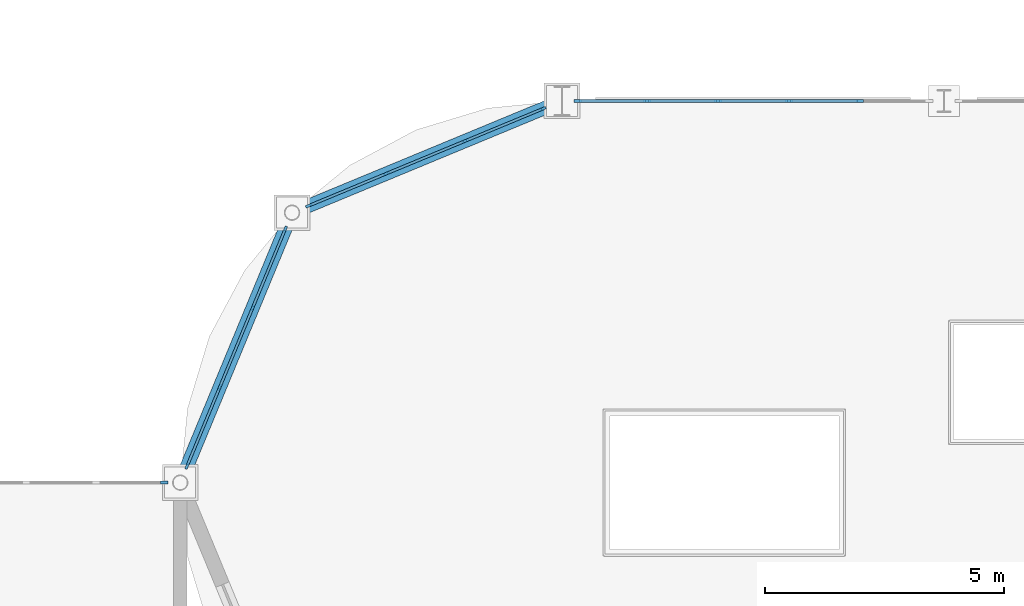
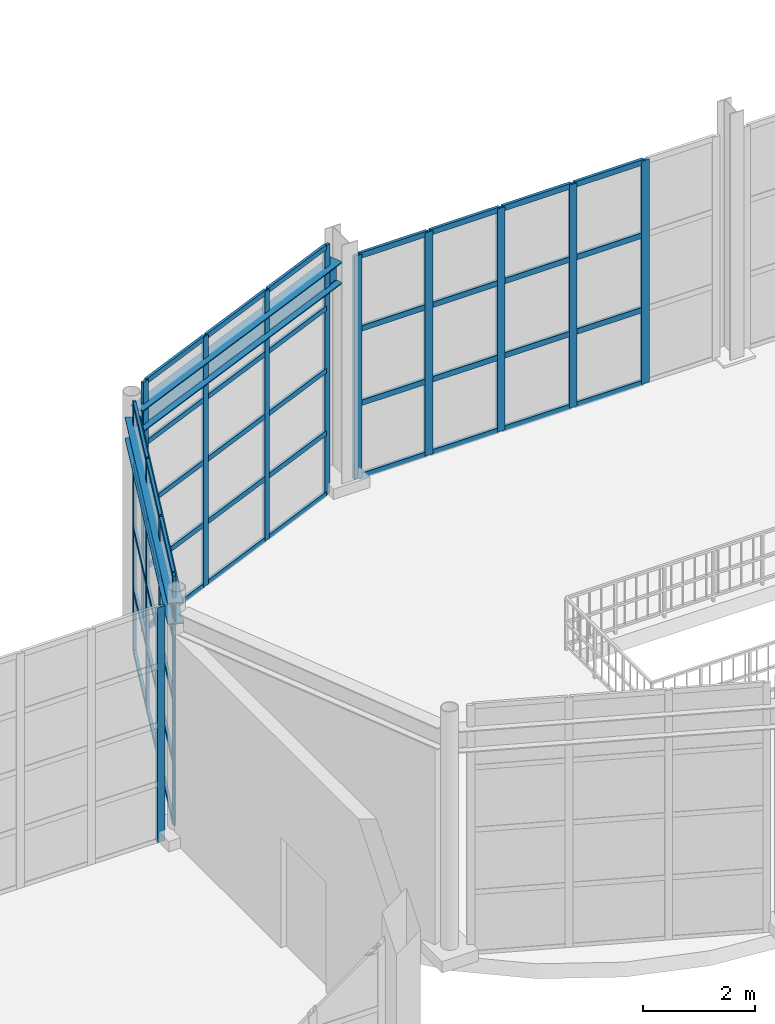
# One storey, part 29 of 82: 60 members, 2 beams, 4 elements without a shape of their own.
"""IFC4 building model written with IfcOpenShell, lengths in metres."""

from ifc_helpers import new_model, si_unit, direction, frame, origin, origin_2d, place, context, subcontext, project, spatial, rectangle, i_section, extrude, material, material_profile, profile_set, type_object, element, aggregate, save


model = new_model("IFC4")

# Units and contexts
model_context = context("Model", 3, precision=1e-05, world=origin(), true_north=direction((0.0, 1.0)))
body_context = subcontext(model_context, "Body", "Model", "MODEL_VIEW")
ifc_project = project(units=[si_unit("LENGTHUNIT", "METRE"), si_unit("AREAUNIT", "SQUARE_METRE"), si_unit("VOLUMEUNIT", "CUBIC_METRE"), si_unit("PLANEANGLEUNIT", "RADIAN"), si_unit("MASSUNIT", "GRAM", prefix="KILO")], contexts=[model_context])

# Site, building, storey
site_placement = place(None, origin())
site = spatial("IfcSite", under=ifc_project, at=site_placement, CompositionType="ELEMENT")
building_placement = place(site_placement, origin())
building = spatial("IfcBuilding", under=site, at=building_placement, Name="Serraluz Foothill Cableway Terminal", CompositionType="ELEMENT")
storey_placement = place(building_placement, frame((0.0, 0.0, 9.60009765625)))
storey = spatial("IfcBuildingStorey", under=building, at=storey_placement, Name="L02", CompositionType="ELEMENT", Elevation=9.60009765625)

# Curtain wall, members
ifc_material_1 = material(Name="Architectural bronze alloy C28000", Category="aluminium")
curtain_wall_type_1 = type_object("IfcCurtainWallType", Name="TYP-CW-440X360", PredefinedType="NOTDEFINED", material=ifc_material_1)
curtain_wall_1_placement = place(storey_placement, origin())
curtain_wall_1 = element("IfcCurtainWall", 1, at=curtain_wall_1_placement, inside=storey, type_object=curtain_wall_type_1, Name="Ribbed Glazed Curtain Wall CW-V1-W-L02-3", PredefinedType="NOTDEFINED")
ifc_material_2 = material(Name="Extruded aluminium 6063-T6", Category="aluminium")
ifc_material_profile_1 = material_profile(ifc_material_2, rectangle(XDim=0.054931640625, YDim=0.139892578125, at=origin_2d()), Name="ALU MULLION 55x140")
ifc_profile_set_1 = profile_set([ifc_material_profile_1], Name="Extruded aluminium 6063-T6")
member_type_1 = type_object("IfcMemberType", Name="TYP-CW-MUL-55X140", PredefinedType="MULLION", material=ifc_profile_set_1)
member_1_placement = place(storey_placement, frame((32.14501953125, 64.35009765625, 0.0), z_axis=(0.0, 0.0, 1.0), x_axis=(-0.923878982655, 0.382684759834, 0.0)))
member_1 = element("IfcMember", 2, at=member_1_placement, type_object=member_type_1, Name="CW-16 mullion 1", PredefinedType="MULLION", context=body_context, shape_type="SweptSolid", body=[
    extrude(rectangle(XDim=0.054931640625, YDim=0.139892578125, at=origin_2d()), origin(), (0.0, 0.0, 1.0), 5.419921875),
])
member_2_placement = place(storey_placement, frame((32.825927734375, 65.993896484375, 0.0), z_axis=(0.0, 0.0, 1.0), x_axis=(-0.923878982655, 0.382684759834, 0.0)))
member_2 = element("IfcMember", 3, at=member_2_placement, type_object=member_type_1, Name="CW-16 mullion 2", PredefinedType="MULLION", context=body_context, shape_type="SweptSolid", body=[
    extrude(rectangle(XDim=0.054931640625, YDim=0.139892578125, at=origin_2d()), origin(), (0.0, 0.0, 1.0), 5.419921875),
])
member_3_placement = place(storey_placement, frame((33.517333984375, 67.6630859375, 0.0), z_axis=(0.0, 0.0, 1.0), x_axis=(-0.923878982655, 0.382684759834, 0.0)))
member_3 = element("IfcMember", 4, at=member_3_placement, type_object=member_type_1, Name="CW-16 mullion 3", PredefinedType="MULLION", context=body_context, shape_type="SweptSolid", body=[
    extrude(rectangle(XDim=0.054931640625, YDim=0.139892578125, at=origin_2d()), origin(), (0.0, 0.0, 1.0), 5.419921875),
])
member_4_placement = place(storey_placement, frame((34.197998046875, 69.306640625, 0.0), z_axis=(0.0, 0.0, 1.0), x_axis=(-0.923878982655, 0.382684759834, 0.0)))
member_4 = element("IfcMember", 5, at=member_4_placement, type_object=member_type_1, Name="CW-16 mullion 4", PredefinedType="MULLION", context=body_context, shape_type="SweptSolid", body=[
    extrude(rectangle(XDim=0.054931640625, YDim=0.139892578125, at=origin_2d()), origin(), (0.0, 0.0, 1.0), 5.419921875),
])

curtain_wall_type_2 = type_object("IfcCurtainWallType", Name="TYP-CW-380X420", PredefinedType="NOTDEFINED", material=ifc_material_1)
curtain_wall_2_placement = place(storey_placement, origin())
curtain_wall_2 = element("IfcCurtainWall", 6, at=curtain_wall_2_placement, inside=storey, type_object=curtain_wall_type_2, Name="Ribbed Glazed Curtain Wall CW-V1-W-L02-4", PredefinedType="NOTDEFINED")
member_5_placement = place(storey_placement, frame((34.693359375, 69.802001953125, 0.0), z_axis=(0.0, 0.0, 1.0), x_axis=(-0.382681674752, 0.923880260537, 0.0)))
member_5 = element("IfcMember", 7, at=member_5_placement, type_object=member_type_1, Name="CW-17 mullion 1", PredefinedType="MULLION", context=body_context, shape_type="SweptSolid", body=[
    extrude(rectangle(XDim=0.054931640625, YDim=0.139892578125, at=origin_2d()), origin(), (0.0, 0.0, 1.0), 5.419921875),
])
member_6_placement = place(storey_placement, frame((36.319580078125, 70.4755859375, 0.0), z_axis=(0.0, 0.0, 1.0), x_axis=(-0.382681674752, 0.923880260537, 0.0)))
member_6 = element("IfcMember", 8, at=member_6_placement, type_object=member_type_1, Name="CW-17 mullion 2", PredefinedType="MULLION", context=body_context, shape_type="SweptSolid", body=[
    extrude(rectangle(XDim=0.054931640625, YDim=0.139892578125, at=origin_2d()), origin(), (0.0, 0.0, 1.0), 5.419921875),
])
member_7_placement = place(storey_placement, frame((37.971435546875, 71.15966796875, 0.0), z_axis=(0.0, 0.0, 1.0), x_axis=(-0.382681674752, 0.923880260537, 0.0)))
member_7 = element("IfcMember", 9, at=member_7_placement, type_object=member_type_1, Name="CW-17 mullion 3", PredefinedType="MULLION", context=body_context, shape_type="SweptSolid", body=[
    extrude(rectangle(XDim=0.054931640625, YDim=0.139892578125, at=origin_2d()), origin(), (0.0, 0.0, 1.0), 5.419921875),
])
member_8_placement = place(storey_placement, frame((39.59765625, 71.83349609375, 0.0), z_axis=(0.0, 0.0, 1.0), x_axis=(-0.382681674752, 0.923880260537, 0.0)))
member_8 = element("IfcMember", 10, at=member_8_placement, type_object=member_type_1, Name="CW-17 mullion 4", PredefinedType="MULLION", context=body_context, shape_type="SweptSolid", body=[
    extrude(rectangle(XDim=0.054931640625, YDim=0.139892578125, at=origin_2d()), origin(), (0.0, 0.0, 1.0), 5.419921875),
])

curtain_wall_type_3 = type_object("IfcCurtainWallType", Name="TYP-CW-540X420", PredefinedType="NOTDEFINED", material=ifc_material_1)
curtain_wall_3_placement = place(storey_placement, origin())
curtain_wall_3 = element("IfcCurtainWall", 11, at=curtain_wall_3_placement, inside=storey, type_object=curtain_wall_type_3, Name="Ribbed Glazed Curtain Wall CW-V1N-L02-40", PredefinedType="NOTDEFINED")
ifc_material_profile_2 = material_profile(ifc_material_1, rectangle(XDim=0.06005859375, YDim=0.159912109375, at=origin_2d()), Name="ALU MULLION 60x160")
ifc_profile_set_2 = profile_set([ifc_material_profile_2], Name="Architectural bronze alloy C28000")
member_type_2 = type_object("IfcMemberType", Name="TYP-CW-MUL-60X160", PredefinedType="MULLION", material=ifc_profile_set_2)
member_9_placement = place(storey_placement, frame((40.33251953125, 72.0, 0.0), z_axis=(0.0, 0.0, 1.0), x_axis=(0.0, 1.0, 0.0)))
member_9 = element("IfcMember", 12, at=member_9_placement, type_object=member_type_2, Name="CW-10 mullion 1", PredefinedType="MULLION", context=body_context, shape_type="SweptSolid", body=[
    extrude(rectangle(XDim=0.06005859375, YDim=0.159912109375, at=origin_2d()), origin(), (0.0, 0.0, 1.0), 4.849853515625),
])
member_10_placement = place(storey_placement, frame((41.78564453125, 72.0, 0.0), z_axis=(0.0, 0.0, 1.0), x_axis=(0.0, 1.0, 0.0)))
member_10 = element("IfcMember", 13, at=member_10_placement, type_object=member_type_2, Name="CW-10 mullion 2", PredefinedType="MULLION", context=body_context, shape_type="SweptSolid", body=[
    extrude(rectangle(XDim=0.06005859375, YDim=0.159912109375, at=origin_2d()), origin(), (0.0, 0.0, 1.0), 4.849853515625),
])
member_11_placement = place(storey_placement, frame((43.268798828125, 72.0, 0.0), z_axis=(0.0, 0.0, 1.0), x_axis=(0.0, 1.0, 0.0)))
member_11 = element("IfcMember", 14, at=member_11_placement, type_object=member_type_2, Name="CW-10 mullion 3", PredefinedType="MULLION", context=body_context, shape_type="SweptSolid", body=[
    extrude(rectangle(XDim=0.06005859375, YDim=0.159912109375, at=origin_2d()), origin(), (0.0, 0.0, 1.0), 4.849853515625),
])
member_12_placement = place(storey_placement, frame((44.752197265625, 72.0, 0.0), z_axis=(0.0, 0.0, 1.0), x_axis=(0.0, 1.0, 0.0)))
member_12 = element("IfcMember", 15, at=member_12_placement, type_object=member_type_2, Name="CW-10 mullion 4", PredefinedType="MULLION", context=body_context, shape_type="SweptSolid", body=[
    extrude(rectangle(XDim=0.06005859375, YDim=0.159912109375, at=origin_2d()), origin(), (0.0, 0.0, 1.0), 4.849853515625),
])
member_13_placement = place(storey_placement, frame((46.2353515625, 72.0, 0.0), z_axis=(0.0, 0.0, 1.0), x_axis=(0.0, 1.0, 0.0)))
member_13 = element("IfcMember", 16, at=member_13_placement, type_object=member_type_2, Name="CW-10 mullion 5", PredefinedType="MULLION", context=body_context, shape_type="SweptSolid", body=[
    extrude(rectangle(XDim=0.06005859375, YDim=0.159912109375, at=origin_2d()), origin(), (0.0, 0.0, 1.0), 4.849853515625),
])

# Curtain wall, member
curtain_wall_type_4 = type_object("IfcCurtainWallType", Name="TYP-CW-710X420", PredefinedType="NOTDEFINED", material=ifc_material_1)
curtain_wall_4_placement = place(storey_placement, origin())
curtain_wall_4 = element("IfcCurtainWall", 17, at=curtain_wall_4_placement, inside=storey, type_object=curtain_wall_type_4, Name="Ribbed Glazed Curtain Wall CW-WLN-L02-24", PredefinedType="NOTDEFINED")
member_14_placement = place(storey_placement, frame((31.66796875, 64.0, 0.0), z_axis=(0.0, 0.0, 1.0), x_axis=(0.0, 1.0, 0.0)))
member_14 = element("IfcMember", 18, at=member_14_placement, type_object=member_type_2, Name="CW-01 mullion 6", PredefinedType="MULLION", context=body_context, shape_type="SweptSolid", body=[
    extrude(rectangle(XDim=0.06005859375, YDim=0.159912109375, at=origin_2d()), origin(), (0.0, 0.0, 1.0), 5.099853515625),
])
aggregate(curtain_wall_4, [member_14])

# Member
ifc_material_profile_3 = material_profile(ifc_material_2, rectangle(XDim=0.054931640625, YDim=0.110107421875, at=origin_2d()), Name="ALU TRANSOM 55x110")
ifc_profile_set_3 = profile_set([ifc_material_profile_3], Name="Extruded aluminium 6063-T6")
member_type_3 = type_object("IfcMemberType", Name="TYP-CW-TRN-55X110", PredefinedType="USERDEFINED", material=ifc_profile_set_3)
member_15_placement = place(storey_placement, frame((32.155517578125, 64.375732421875, 0.02734375), z_axis=(0.382764500292, 0.92384594891, 0.0), x_axis=(-0.92384594891, 0.382764500292, 0.0)))
member_15 = element("IfcMember", 19, at=member_15_placement, type_object=member_type_3, Name="CW-16 transom 1.1", ObjectType="TRANSOM", PredefinedType="USERDEFINED", context=body_context, shape_type="SweptSolid", body=[
    extrude(rectangle(XDim=0.054931640625, YDim=0.110107421875, at=origin_2d()), origin(), (0.0, 0.0, 1.0), 1.72412109375),
])

member_16_placement = place(storey_placement, frame((32.155517578125, 64.375732421875, 1.35498046875), z_axis=(0.382764500292, 0.92384594891, 0.0), x_axis=(-0.92384594891, 0.382764500292, 0.0)))
member_16 = element("IfcMember", 20, at=member_16_placement, type_object=member_type_3, Name="CW-16 transom 1.2", ObjectType="TRANSOM", PredefinedType="USERDEFINED", context=body_context, shape_type="SweptSolid", body=[
    extrude(rectangle(XDim=0.054931640625, YDim=0.110107421875, at=origin_2d()), origin(), (0.0, 0.0, 1.0), 1.72412109375),
])

member_17_placement = place(storey_placement, frame((32.155517578125, 64.375732421875, 2.7099609375), z_axis=(0.382764500292, 0.92384594891, 0.0), x_axis=(-0.92384594891, 0.382764500292, 0.0)))
member_17 = element("IfcMember", 21, at=member_17_placement, type_object=member_type_3, Name="CW-16 transom 1.3", ObjectType="TRANSOM", PredefinedType="USERDEFINED", context=body_context, shape_type="SweptSolid", body=[
    extrude(rectangle(XDim=0.054931640625, YDim=0.110107421875, at=origin_2d()), origin(), (0.0, 0.0, 1.0), 1.72412109375),
])

member_18_placement = place(storey_placement, frame((32.155517578125, 64.375732421875, 4.06494140625), z_axis=(0.382764500292, 0.92384594891, 0.0), x_axis=(-0.92384594891, 0.382764500292, 0.0)))
member_18 = element("IfcMember", 22, at=member_18_placement, type_object=member_type_3, Name="CW-16 transom 1.4", ObjectType="TRANSOM", PredefinedType="USERDEFINED", context=body_context, shape_type="SweptSolid", body=[
    extrude(rectangle(XDim=0.054931640625, YDim=0.110107421875, at=origin_2d()), origin(), (0.0, 0.0, 1.0), 1.72412109375),
])

member_19_placement = place(storey_placement, frame((32.155517578125, 64.375732421875, 5.392333984375), z_axis=(0.382764500292, 0.92384594891, 0.0), x_axis=(-0.92384594891, 0.382764500292, 0.0)))
member_19 = element("IfcMember", 23, at=member_19_placement, type_object=member_type_3, Name="CW-16 transom 1.5", ObjectType="TRANSOM", PredefinedType="USERDEFINED", context=body_context, shape_type="SweptSolid", body=[
    extrude(rectangle(XDim=0.054931640625, YDim=0.110107421875, at=origin_2d()), origin(), (0.0, 0.0, 1.0), 1.72412109375),
])

member_20_placement = place(storey_placement, frame((32.83642578125, 66.019287109375, 0.02734375), z_axis=(0.382585676577, 0.923920018226, 0.0), x_axis=(-0.923920018226, 0.382585676577, 0.0)))
member_20 = element("IfcMember", 24, at=member_20_placement, type_object=member_type_3, Name="CW-16 transom 2.1", ObjectType="TRANSOM", PredefinedType="USERDEFINED", context=body_context, shape_type="SweptSolid", body=[
    extrude(rectangle(XDim=0.054931640625, YDim=0.110107421875, at=origin_2d()), origin(), (0.0, 0.0, 1.0), 1.751708984375),
])

member_21_placement = place(storey_placement, frame((32.83642578125, 66.019287109375, 1.35498046875), z_axis=(0.382585676577, 0.923920018226, 0.0), x_axis=(-0.923920018226, 0.382585676577, 0.0)))
member_21 = element("IfcMember", 25, at=member_21_placement, type_object=member_type_3, Name="CW-16 transom 2.2", ObjectType="TRANSOM", PredefinedType="USERDEFINED", context=body_context, shape_type="SweptSolid", body=[
    extrude(rectangle(XDim=0.054931640625, YDim=0.110107421875, at=origin_2d()), origin(), (0.0, 0.0, 1.0), 1.751708984375),
])

member_22_placement = place(storey_placement, frame((32.83642578125, 66.019287109375, 2.7099609375), z_axis=(0.382585676577, 0.923920018226, 0.0), x_axis=(-0.923920018226, 0.382585676577, 0.0)))
member_22 = element("IfcMember", 26, at=member_22_placement, type_object=member_type_3, Name="CW-16 transom 2.3", ObjectType="TRANSOM", PredefinedType="USERDEFINED", context=body_context, shape_type="SweptSolid", body=[
    extrude(rectangle(XDim=0.054931640625, YDim=0.110107421875, at=origin_2d()), origin(), (0.0, 0.0, 1.0), 1.751708984375),
])

member_23_placement = place(storey_placement, frame((32.83642578125, 66.019287109375, 4.06494140625), z_axis=(0.382585676577, 0.923920018226, 0.0), x_axis=(-0.923920018226, 0.382585676577, 0.0)))
member_23 = element("IfcMember", 27, at=member_23_placement, type_object=member_type_3, Name="CW-16 transom 2.4", ObjectType="TRANSOM", PredefinedType="USERDEFINED", context=body_context, shape_type="SweptSolid", body=[
    extrude(rectangle(XDim=0.054931640625, YDim=0.110107421875, at=origin_2d()), origin(), (0.0, 0.0, 1.0), 1.751708984375),
])

member_24_placement = place(storey_placement, frame((32.83642578125, 66.019287109375, 5.392333984375), z_axis=(0.382585676577, 0.923920018226, 0.0), x_axis=(-0.923920018226, 0.382585676577, 0.0)))
member_24 = element("IfcMember", 28, at=member_24_placement, type_object=member_type_3, Name="CW-16 transom 2.5", ObjectType="TRANSOM", PredefinedType="USERDEFINED", context=body_context, shape_type="SweptSolid", body=[
    extrude(rectangle(XDim=0.054931640625, YDim=0.110107421875, at=origin_2d()), origin(), (0.0, 0.0, 1.0), 1.751708984375),
])

member_25_placement = place(storey_placement, frame((33.52783203125, 67.6884765625, 0.02734375), z_axis=(0.382643629872, 0.923896018239, 0.0), x_axis=(-0.923896018239, 0.382643629872, 0.0)))
member_25 = element("IfcMember", 29, at=member_25_placement, type_object=member_type_3, Name="CW-16 transom 3.1", ObjectType="TRANSOM", PredefinedType="USERDEFINED", context=body_context, shape_type="SweptSolid", body=[
    extrude(rectangle(XDim=0.054931640625, YDim=0.110107421875, at=origin_2d()), origin(), (0.0, 0.0, 1.0), 1.723876953125),
])

member_26_placement = place(storey_placement, frame((33.52783203125, 67.6884765625, 1.35498046875), z_axis=(0.382643629872, 0.923896018239, 0.0), x_axis=(-0.923896018239, 0.382643629872, 0.0)))
member_26 = element("IfcMember", 30, at=member_26_placement, type_object=member_type_3, Name="CW-16 transom 3.2", ObjectType="TRANSOM", PredefinedType="USERDEFINED", context=body_context, shape_type="SweptSolid", body=[
    extrude(rectangle(XDim=0.054931640625, YDim=0.110107421875, at=origin_2d()), origin(), (0.0, 0.0, 1.0), 1.723876953125),
])

member_27_placement = place(storey_placement, frame((33.52783203125, 67.6884765625, 2.7099609375), z_axis=(0.382643629872, 0.923896018239, 0.0), x_axis=(-0.923896018239, 0.382643629872, 0.0)))
member_27 = element("IfcMember", 31, at=member_27_placement, type_object=member_type_3, Name="CW-16 transom 3.3", ObjectType="TRANSOM", PredefinedType="USERDEFINED", context=body_context, shape_type="SweptSolid", body=[
    extrude(rectangle(XDim=0.054931640625, YDim=0.110107421875, at=origin_2d()), origin(), (0.0, 0.0, 1.0), 1.723876953125),
])

member_28_placement = place(storey_placement, frame((33.52783203125, 67.6884765625, 4.06494140625), z_axis=(0.382643629872, 0.923896018239, 0.0), x_axis=(-0.923896018239, 0.382643629872, 0.0)))
member_28 = element("IfcMember", 32, at=member_28_placement, type_object=member_type_3, Name="CW-16 transom 3.4", ObjectType="TRANSOM", PredefinedType="USERDEFINED", context=body_context, shape_type="SweptSolid", body=[
    extrude(rectangle(XDim=0.054931640625, YDim=0.110107421875, at=origin_2d()), origin(), (0.0, 0.0, 1.0), 1.723876953125),
])

member_29_placement = place(storey_placement, frame((33.52783203125, 67.6884765625, 5.392333984375), z_axis=(0.382643629872, 0.923896018239, 0.0), x_axis=(-0.923896018239, 0.382643629872, 0.0)))
member_29 = element("IfcMember", 33, at=member_29_placement, type_object=member_type_3, Name="CW-16 transom 3.5", ObjectType="TRANSOM", PredefinedType="USERDEFINED", context=body_context, shape_type="SweptSolid", body=[
    extrude(rectangle(XDim=0.054931640625, YDim=0.110107421875, at=origin_2d()), origin(), (0.0, 0.0, 1.0), 1.723876953125),
])

aggregate(curtain_wall_1, [member_1, member_2, member_3, member_4, member_15, member_16, member_17, member_18, member_19, member_20, member_21, member_22, member_23, member_24, member_25, member_26, member_27, member_28, member_29])

member_30_placement = place(storey_placement, frame((34.71875, 69.8125, 0.02734375), z_axis=(0.923875488976, 0.382693194178, 0.0), x_axis=(-0.382693194178, 0.923875488976, 0.0)))
member_30 = element("IfcMember", 34, at=member_30_placement, type_object=member_type_3, Name="CW-17 transom 1.1", ObjectType="TRANSOM", PredefinedType="USERDEFINED", context=body_context, shape_type="SweptSolid", body=[
    extrude(rectangle(XDim=0.054931640625, YDim=0.110107421875, at=origin_2d()), origin(), (0.0, 0.0, 1.0), 1.705322265625),
])

member_31_placement = place(storey_placement, frame((34.71875, 69.8125, 1.35498046875), z_axis=(0.923875488976, 0.382693194178, 0.0), x_axis=(-0.382693194178, 0.923875488976, 0.0)))
member_31 = element("IfcMember", 35, at=member_31_placement, type_object=member_type_3, Name="CW-17 transom 1.2", ObjectType="TRANSOM", PredefinedType="USERDEFINED", context=body_context, shape_type="SweptSolid", body=[
    extrude(rectangle(XDim=0.054931640625, YDim=0.110107421875, at=origin_2d()), origin(), (0.0, 0.0, 1.0), 1.705322265625),
])

member_32_placement = place(storey_placement, frame((34.71875, 69.8125, 2.7099609375), z_axis=(0.923875488976, 0.382693194178, 0.0), x_axis=(-0.382693194178, 0.923875488976, 0.0)))
member_32 = element("IfcMember", 36, at=member_32_placement, type_object=member_type_3, Name="CW-17 transom 1.3", ObjectType="TRANSOM", PredefinedType="USERDEFINED", context=body_context, shape_type="SweptSolid", body=[
    extrude(rectangle(XDim=0.054931640625, YDim=0.110107421875, at=origin_2d()), origin(), (0.0, 0.0, 1.0), 1.705322265625),
])

member_33_placement = place(storey_placement, frame((34.71875, 69.8125, 4.06494140625), z_axis=(0.923875488976, 0.382693194178, 0.0), x_axis=(-0.382693194178, 0.923875488976, 0.0)))
member_33 = element("IfcMember", 37, at=member_33_placement, type_object=member_type_3, Name="CW-17 transom 1.4", ObjectType="TRANSOM", PredefinedType="USERDEFINED", context=body_context, shape_type="SweptSolid", body=[
    extrude(rectangle(XDim=0.054931640625, YDim=0.110107421875, at=origin_2d()), origin(), (0.0, 0.0, 1.0), 1.705322265625),
])

member_34_placement = place(storey_placement, frame((34.71875, 69.8125, 5.392333984375), z_axis=(0.923875488976, 0.382693194178, 0.0), x_axis=(-0.382693194178, 0.923875488976, 0.0)))
member_34 = element("IfcMember", 38, at=member_34_placement, type_object=member_type_3, Name="CW-17 transom 1.5", ObjectType="TRANSOM", PredefinedType="USERDEFINED", context=body_context, shape_type="SweptSolid", body=[
    extrude(rectangle(XDim=0.054931640625, YDim=0.110107421875, at=origin_2d()), origin(), (0.0, 0.0, 1.0), 1.705322265625),
])

member_35_placement = place(storey_placement, frame((36.344970703125, 70.486083984375, 0.02734375), z_axis=(0.923900079523, 0.382633823724, 0.0), x_axis=(-0.382633823724, 0.923900079523, 0.0)))
member_35 = element("IfcMember", 39, at=member_35_placement, type_object=member_type_3, Name="CW-17 transom 2.1", ObjectType="TRANSOM", PredefinedType="USERDEFINED", context=body_context, shape_type="SweptSolid", body=[
    extrude(rectangle(XDim=0.054931640625, YDim=0.110107421875, at=origin_2d()), origin(), (0.0, 0.0, 1.0), 1.73291015625),
])

member_36_placement = place(storey_placement, frame((36.344970703125, 70.486083984375, 1.35498046875), z_axis=(0.923900079523, 0.382633823724, 0.0), x_axis=(-0.382633823724, 0.923900079523, 0.0)))
member_36 = element("IfcMember", 40, at=member_36_placement, type_object=member_type_3, Name="CW-17 transom 2.2", ObjectType="TRANSOM", PredefinedType="USERDEFINED", context=body_context, shape_type="SweptSolid", body=[
    extrude(rectangle(XDim=0.054931640625, YDim=0.110107421875, at=origin_2d()), origin(), (0.0, 0.0, 1.0), 1.73291015625),
])

member_37_placement = place(storey_placement, frame((36.344970703125, 70.486083984375, 2.7099609375), z_axis=(0.923900079523, 0.382633823724, 0.0), x_axis=(-0.382633823724, 0.923900079523, 0.0)))
member_37 = element("IfcMember", 41, at=member_37_placement, type_object=member_type_3, Name="CW-17 transom 2.3", ObjectType="TRANSOM", PredefinedType="USERDEFINED", context=body_context, shape_type="SweptSolid", body=[
    extrude(rectangle(XDim=0.054931640625, YDim=0.110107421875, at=origin_2d()), origin(), (0.0, 0.0, 1.0), 1.73291015625),
])

member_38_placement = place(storey_placement, frame((36.344970703125, 70.486083984375, 4.06494140625), z_axis=(0.923900079523, 0.382633823724, 0.0), x_axis=(-0.382633823724, 0.923900079523, 0.0)))
member_38 = element("IfcMember", 42, at=member_38_placement, type_object=member_type_3, Name="CW-17 transom 2.4", ObjectType="TRANSOM", PredefinedType="USERDEFINED", context=body_context, shape_type="SweptSolid", body=[
    extrude(rectangle(XDim=0.054931640625, YDim=0.110107421875, at=origin_2d()), origin(), (0.0, 0.0, 1.0), 1.73291015625),
])

member_39_placement = place(storey_placement, frame((36.344970703125, 70.486083984375, 5.392333984375), z_axis=(0.923900079523, 0.382633823724, 0.0), x_axis=(-0.382633823724, 0.923900079523, 0.0)))
member_39 = element("IfcMember", 43, at=member_39_placement, type_object=member_type_3, Name="CW-17 transom 2.5", ObjectType="TRANSOM", PredefinedType="USERDEFINED", context=body_context, shape_type="SweptSolid", body=[
    extrude(rectangle(XDim=0.054931640625, YDim=0.110107421875, at=origin_2d()), origin(), (0.0, 0.0, 1.0), 1.73291015625),
])

member_40_placement = place(storey_placement, frame((37.996826171875, 71.170166015625, 0.02734375), z_axis=(0.923875488976, 0.382693194178, 0.0), x_axis=(-0.382693194178, 0.923875488976, 0.0)))
member_40 = element("IfcMember", 44, at=member_40_placement, type_object=member_type_3, Name="CW-17 transom 3.1", ObjectType="TRANSOM", PredefinedType="USERDEFINED", context=body_context, shape_type="SweptSolid", body=[
    extrude(rectangle(XDim=0.054931640625, YDim=0.110107421875, at=origin_2d()), origin(), (0.0, 0.0, 1.0), 1.705322265625),
])

member_41_placement = place(storey_placement, frame((37.996826171875, 71.170166015625, 1.35498046875), z_axis=(0.923875488976, 0.382693194178, 0.0), x_axis=(-0.382693194178, 0.923875488976, 0.0)))
member_41 = element("IfcMember", 45, at=member_41_placement, type_object=member_type_3, Name="CW-17 transom 3.2", ObjectType="TRANSOM", PredefinedType="USERDEFINED", context=body_context, shape_type="SweptSolid", body=[
    extrude(rectangle(XDim=0.054931640625, YDim=0.110107421875, at=origin_2d()), origin(), (0.0, 0.0, 1.0), 1.705322265625),
])

member_42_placement = place(storey_placement, frame((37.996826171875, 71.170166015625, 2.7099609375), z_axis=(0.923875488976, 0.382693194178, 0.0), x_axis=(-0.382693194178, 0.923875488976, 0.0)))
member_42 = element("IfcMember", 46, at=member_42_placement, type_object=member_type_3, Name="CW-17 transom 3.3", ObjectType="TRANSOM", PredefinedType="USERDEFINED", context=body_context, shape_type="SweptSolid", body=[
    extrude(rectangle(XDim=0.054931640625, YDim=0.110107421875, at=origin_2d()), origin(), (0.0, 0.0, 1.0), 1.705322265625),
])

member_43_placement = place(storey_placement, frame((37.996826171875, 71.170166015625, 4.06494140625), z_axis=(0.923875488976, 0.382693194178, 0.0), x_axis=(-0.382693194178, 0.923875488976, 0.0)))
member_43 = element("IfcMember", 47, at=member_43_placement, type_object=member_type_3, Name="CW-17 transom 3.4", ObjectType="TRANSOM", PredefinedType="USERDEFINED", context=body_context, shape_type="SweptSolid", body=[
    extrude(rectangle(XDim=0.054931640625, YDim=0.110107421875, at=origin_2d()), origin(), (0.0, 0.0, 1.0), 1.705322265625),
])

member_44_placement = place(storey_placement, frame((37.996826171875, 71.170166015625, 5.392333984375), z_axis=(0.923875488976, 0.382693194178, 0.0), x_axis=(-0.382693194178, 0.923875488976, 0.0)))
member_44 = element("IfcMember", 48, at=member_44_placement, type_object=member_type_3, Name="CW-17 transom 3.5", ObjectType="TRANSOM", PredefinedType="USERDEFINED", context=body_context, shape_type="SweptSolid", body=[
    extrude(rectangle(XDim=0.054931640625, YDim=0.110107421875, at=origin_2d()), origin(), (0.0, 0.0, 1.0), 1.705322265625),
])

aggregate(curtain_wall_2, [member_5, member_6, member_7, member_8, member_30, member_31, member_32, member_33, member_34, member_35, member_36, member_37, member_38, member_39, member_40, member_41, member_42, member_43, member_44])

ifc_material_profile_4 = material_profile(ifc_material_1, rectangle(XDim=0.06005859375, YDim=0.1201171875, at=origin_2d()), Name="ALU TRANSOM 60x120")
ifc_profile_set_4 = profile_set([ifc_material_profile_4], Name="Architectural bronze alloy C28000")
member_type_4 = type_object("IfcMemberType", Name="TYP-CW-TRN-60X120", PredefinedType="USERDEFINED", material=ifc_profile_set_4)
member_45_placement = place(storey_placement, frame((40.362548828125, 72.0, 0.02978515625), z_axis=(1.0, 0.0, 0.0), x_axis=(0.0, 1.0, 0.0)))
member_45 = element("IfcMember", 49, at=member_45_placement, type_object=member_type_4, Name="CW-10 transom 1.1", ObjectType="TRANSOM", PredefinedType="USERDEFINED", context=body_context, shape_type="SweptSolid", body=[
    extrude(rectangle(XDim=0.06005859375, YDim=0.1201171875, at=origin_2d()), origin(), (0.0, 0.0, 1.0), 1.39306640625),
])

member_46_placement = place(storey_placement, frame((40.362548828125, 72.0, 1.61669921875), z_axis=(1.0, 0.0, 0.0), x_axis=(0.0, 1.0, 0.0)))
member_46 = element("IfcMember", 50, at=member_46_placement, type_object=member_type_4, Name="CW-10 transom 1.2", ObjectType="TRANSOM", PredefinedType="USERDEFINED", context=body_context, shape_type="SweptSolid", body=[
    extrude(rectangle(XDim=0.06005859375, YDim=0.1201171875, at=origin_2d()), origin(), (0.0, 0.0, 1.0), 1.39306640625),
])

member_47_placement = place(storey_placement, frame((40.362548828125, 72.0, 3.233154296875), z_axis=(1.0, 0.0, 0.0), x_axis=(0.0, 1.0, 0.0)))
member_47 = element("IfcMember", 51, at=member_47_placement, type_object=member_type_4, Name="CW-10 transom 1.3", ObjectType="TRANSOM", PredefinedType="USERDEFINED", context=body_context, shape_type="SweptSolid", body=[
    extrude(rectangle(XDim=0.06005859375, YDim=0.1201171875, at=origin_2d()), origin(), (0.0, 0.0, 1.0), 1.39306640625),
])

member_48_placement = place(storey_placement, frame((40.362548828125, 72.0, 4.81982421875), z_axis=(1.0, 0.0, 0.0), x_axis=(0.0, 1.0, 0.0)))
member_48 = element("IfcMember", 52, at=member_48_placement, type_object=member_type_4, Name="CW-10 transom 1.4", ObjectType="TRANSOM", PredefinedType="USERDEFINED", context=body_context, shape_type="SweptSolid", body=[
    extrude(rectangle(XDim=0.06005859375, YDim=0.1201171875, at=origin_2d()), origin(), (0.0, 0.0, 1.0), 1.39306640625),
])

member_49_placement = place(storey_placement, frame((41.815673828125, 72.0, 0.02978515625), z_axis=(1.0, 0.0, 0.0), x_axis=(0.0, 1.0, 0.0)))
member_49 = element("IfcMember", 53, at=member_49_placement, type_object=member_type_4, Name="CW-10 transom 2.1", ObjectType="TRANSOM", PredefinedType="USERDEFINED", context=body_context, shape_type="SweptSolid", body=[
    extrude(rectangle(XDim=0.06005859375, YDim=0.1201171875, at=origin_2d()), origin(), (0.0, 0.0, 1.0), 1.42333984375),
])

member_50_placement = place(storey_placement, frame((41.815673828125, 72.0, 1.61669921875), z_axis=(1.0, 0.0, 0.0), x_axis=(0.0, 1.0, 0.0)))
member_50 = element("IfcMember", 54, at=member_50_placement, type_object=member_type_4, Name="CW-10 transom 2.2", ObjectType="TRANSOM", PredefinedType="USERDEFINED", context=body_context, shape_type="SweptSolid", body=[
    extrude(rectangle(XDim=0.06005859375, YDim=0.1201171875, at=origin_2d()), origin(), (0.0, 0.0, 1.0), 1.42333984375),
])

member_51_placement = place(storey_placement, frame((41.815673828125, 72.0, 3.233154296875), z_axis=(1.0, 0.0, 0.0), x_axis=(0.0, 1.0, 0.0)))
member_51 = element("IfcMember", 55, at=member_51_placement, type_object=member_type_4, Name="CW-10 transom 2.3", ObjectType="TRANSOM", PredefinedType="USERDEFINED", context=body_context, shape_type="SweptSolid", body=[
    extrude(rectangle(XDim=0.06005859375, YDim=0.1201171875, at=origin_2d()), origin(), (0.0, 0.0, 1.0), 1.42333984375),
])

member_52_placement = place(storey_placement, frame((41.815673828125, 72.0, 4.81982421875), z_axis=(1.0, 0.0, 0.0), x_axis=(0.0, 1.0, 0.0)))
member_52 = element("IfcMember", 56, at=member_52_placement, type_object=member_type_4, Name="CW-10 transom 2.4", ObjectType="TRANSOM", PredefinedType="USERDEFINED", context=body_context, shape_type="SweptSolid", body=[
    extrude(rectangle(XDim=0.06005859375, YDim=0.1201171875, at=origin_2d()), origin(), (0.0, 0.0, 1.0), 1.42333984375),
])

member_53_placement = place(storey_placement, frame((43.298828125, 72.0, 0.02978515625), z_axis=(1.0, 0.0, 0.0), x_axis=(0.0, 1.0, 0.0)))
member_53 = element("IfcMember", 57, at=member_53_placement, type_object=member_type_4, Name="CW-10 transom 3.1", ObjectType="TRANSOM", PredefinedType="USERDEFINED", context=body_context, shape_type="SweptSolid", body=[
    extrude(rectangle(XDim=0.06005859375, YDim=0.1201171875, at=origin_2d()), origin(), (0.0, 0.0, 1.0), 1.42333984375),
])

member_54_placement = place(storey_placement, frame((43.298828125, 72.0, 1.61669921875), z_axis=(1.0, 0.0, 0.0), x_axis=(0.0, 1.0, 0.0)))
member_54 = element("IfcMember", 58, at=member_54_placement, type_object=member_type_4, Name="CW-10 transom 3.2", ObjectType="TRANSOM", PredefinedType="USERDEFINED", context=body_context, shape_type="SweptSolid", body=[
    extrude(rectangle(XDim=0.06005859375, YDim=0.1201171875, at=origin_2d()), origin(), (0.0, 0.0, 1.0), 1.42333984375),
])

member_55_placement = place(storey_placement, frame((43.298828125, 72.0, 3.233154296875), z_axis=(1.0, 0.0, 0.0), x_axis=(0.0, 1.0, 0.0)))
member_55 = element("IfcMember", 59, at=member_55_placement, type_object=member_type_4, Name="CW-10 transom 3.3", ObjectType="TRANSOM", PredefinedType="USERDEFINED", context=body_context, shape_type="SweptSolid", body=[
    extrude(rectangle(XDim=0.06005859375, YDim=0.1201171875, at=origin_2d()), origin(), (0.0, 0.0, 1.0), 1.42333984375),
])

member_56_placement = place(storey_placement, frame((43.298828125, 72.0, 4.81982421875), z_axis=(1.0, 0.0, 0.0), x_axis=(0.0, 1.0, 0.0)))
member_56 = element("IfcMember", 60, at=member_56_placement, type_object=member_type_4, Name="CW-10 transom 3.4", ObjectType="TRANSOM", PredefinedType="USERDEFINED", context=body_context, shape_type="SweptSolid", body=[
    extrude(rectangle(XDim=0.06005859375, YDim=0.1201171875, at=origin_2d()), origin(), (0.0, 0.0, 1.0), 1.42333984375),
])

member_57_placement = place(storey_placement, frame((44.781982421875, 72.0, 0.02978515625), z_axis=(1.0, 0.0, 0.0), x_axis=(0.0, 1.0, 0.0)))
member_57 = element("IfcMember", 61, at=member_57_placement, type_object=member_type_4, Name="CW-10 transom 4.1", ObjectType="TRANSOM", PredefinedType="USERDEFINED", context=body_context, shape_type="SweptSolid", body=[
    extrude(rectangle(XDim=0.06005859375, YDim=0.1201171875, at=origin_2d()), origin(), (0.0, 0.0, 1.0), 1.42333984375),
])

member_58_placement = place(storey_placement, frame((44.781982421875, 72.0, 1.61669921875), z_axis=(1.0, 0.0, 0.0), x_axis=(0.0, 1.0, 0.0)))
member_58 = element("IfcMember", 62, at=member_58_placement, type_object=member_type_4, Name="CW-10 transom 4.2", ObjectType="TRANSOM", PredefinedType="USERDEFINED", context=body_context, shape_type="SweptSolid", body=[
    extrude(rectangle(XDim=0.06005859375, YDim=0.1201171875, at=origin_2d()), origin(), (0.0, 0.0, 1.0), 1.42333984375),
])

member_59_placement = place(storey_placement, frame((44.781982421875, 72.0, 3.233154296875), z_axis=(1.0, 0.0, 0.0), x_axis=(0.0, 1.0, 0.0)))
member_59 = element("IfcMember", 63, at=member_59_placement, type_object=member_type_4, Name="CW-10 transom 4.3", ObjectType="TRANSOM", PredefinedType="USERDEFINED", context=body_context, shape_type="SweptSolid", body=[
    extrude(rectangle(XDim=0.06005859375, YDim=0.1201171875, at=origin_2d()), origin(), (0.0, 0.0, 1.0), 1.42333984375),
])

member_60_placement = place(storey_placement, frame((44.781982421875, 72.0, 4.81982421875), z_axis=(1.0, 0.0, 0.0), x_axis=(0.0, 1.0, 0.0)))
member_60 = element("IfcMember", 64, at=member_60_placement, type_object=member_type_4, Name="CW-10 transom 4.4", ObjectType="TRANSOM", PredefinedType="USERDEFINED", context=body_context, shape_type="SweptSolid", body=[
    extrude(rectangle(XDim=0.06005859375, YDim=0.1201171875, at=origin_2d()), origin(), (0.0, 0.0, 1.0), 1.42333984375),
])

aggregate(curtain_wall_3, [member_9, member_10, member_11, member_12, member_13, member_45, member_46, member_47, member_48, member_49, member_50, member_51, member_52, member_53, member_54, member_55, member_56, member_57, member_58, member_59, member_60])

# Beams
ifc_material_3 = material(Name="Steel ASTM A992 Grade 50", Category="steel")
ifc_material_profile_5 = material_profile(ifc_material_3, i_section(OverallWidth=0.282958984375, OverallDepth=0.471923828125, WebThickness=0.013671875, FlangeThickness=0.022216796875, FilletRadius=0.014892578125, at=origin_2d()), Name="W18X97")
ifc_profile_set_5 = profile_set([ifc_material_profile_5], Name="Steel ASTM A992 Grade 50")
beam_type = type_object("IfcBeamType", Name="TYP-SP-W18X97", PredefinedType="SPANDREL", material=ifc_profile_set_5)
for number, where, z_axis, x_axis, name in (
    (65, (32.057373046875, 64.138671875, 4.7138671875), (0.382676423435, 0.923882435674, 0.0), (-0.923882435674, 0.382676423435, 0.0), "Curved End Ring Beam W-L02-3"),
    (66, (34.481689453125, 69.71435546875, 4.7138671875), (0.923882435674, 0.382676423435, 0.0), (-0.382676423435, 0.923882435674, 0.0), "Curved End Ring Beam W-L02-4"),
):
    element("IfcBeam", number, at=place(storey_placement, frame(where, z_axis=z_axis, x_axis=x_axis)), inside=storey, type_object=beam_type, Name=name, PredefinedType="SPANDREL", context=body_context, shape_type="SweptSolid", body=[
        extrude(i_section(OverallWidth=0.282958984375, OverallDepth=0.471923828125, WebThickness=0.013671875, FlangeThickness=0.022216796875, FilletRadius=0.014892578125, at=origin_2d()), origin(), (0.0, 0.0, 1.0), 5.82275390625),
    ])

save(model, "model.ifc")
